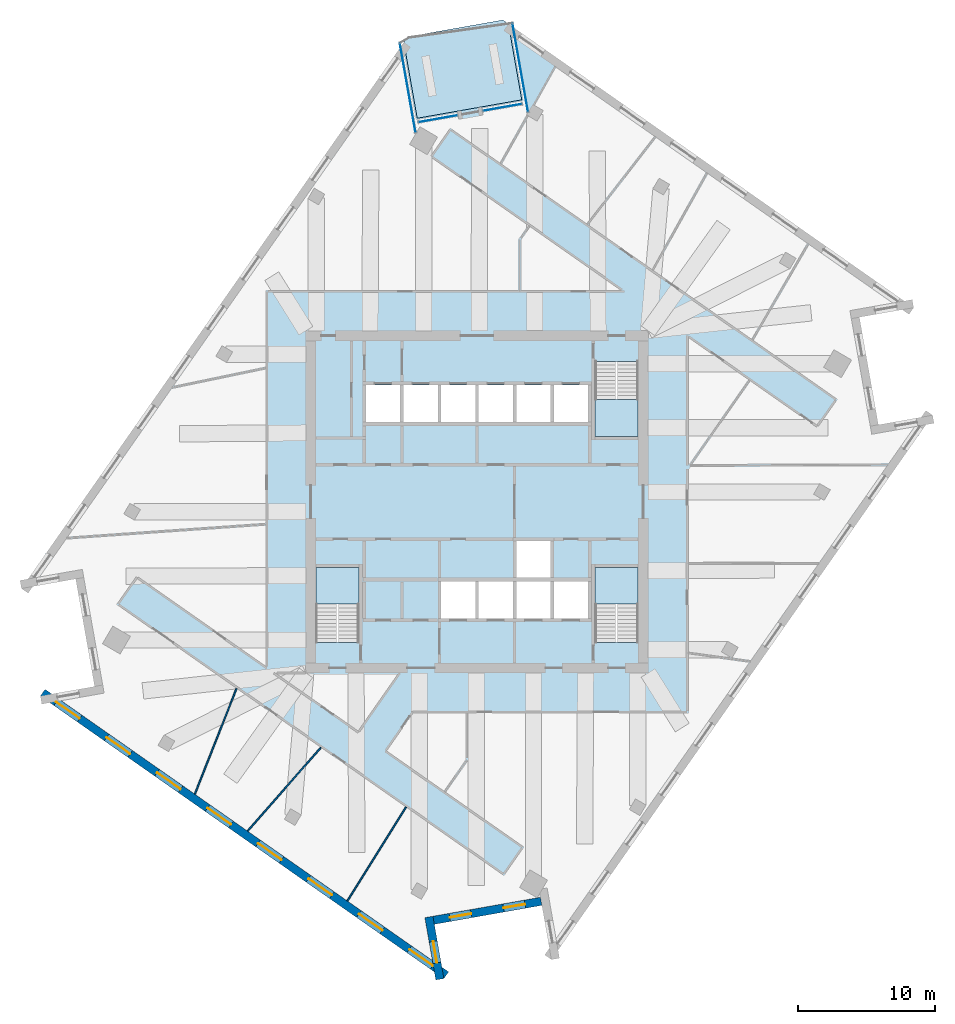
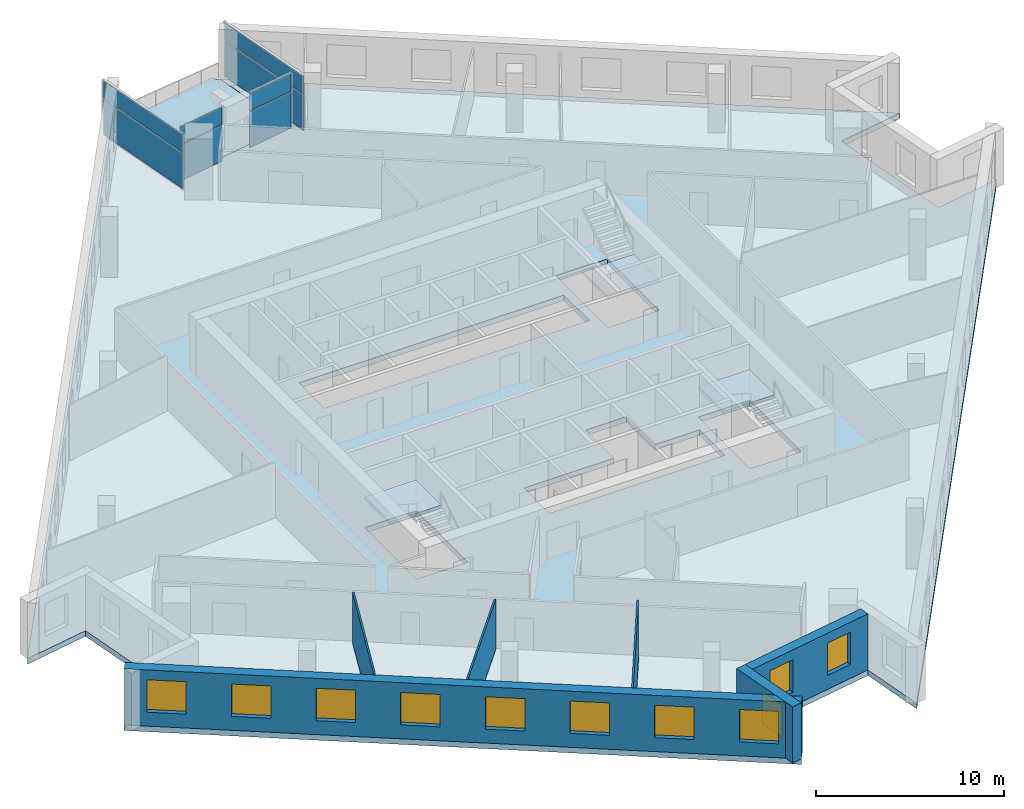
# One storey, part 5 of 13: 11 windows, 8 plates, 6 walls, 5 slabs, 11 openings, 7 elements without a shape of their own.
"""IFC4 building model written with IfcOpenShell, lengths in metres."""

from ifc_helpers import new_model, si_unit, direction, frame, frame_2d, origin, origin_2d, place, context, subcontext, project, spatial, polyline, rectangle, outline, extrude, material, layer, layer_set, type_object, element, fill, aggregate, save


model = new_model("IFC4")

# Units and contexts
model_context = context("Model", 3, precision=1e-05, world=origin(), true_north=direction((0.0, 1.0)))
body_context = subcontext(model_context, "Body", "Model", "MODEL_VIEW")
ifc_project = project(units=[si_unit("LENGTHUNIT", "METRE"), si_unit("AREAUNIT", "SQUARE_METRE"), si_unit("VOLUMEUNIT", "CUBIC_METRE"), si_unit("PLANEANGLEUNIT", "RADIAN"), si_unit("MASSUNIT", "GRAM", prefix="KILO")], contexts=[model_context])

# Site, building, storey
site_placement = place(None, origin())
site = spatial("IfcSite", under=ifc_project, at=site_placement, CompositionType="ELEMENT")
building_placement = place(site_placement, origin())
building = spatial("IfcBuilding", under=site, at=building_placement, Name="Dilmun Exchange Tower", CompositionType="ELEMENT")
storey_placement = place(building_placement, frame((0.0, 0.0, 242.89990234375)))
storey = spatial("IfcBuildingStorey", under=building, at=storey_placement, Name="L57", CompositionType="ELEMENT", Elevation=242.89990234375)

# Stair, slab
ifc_material_1 = material(Name="Concrete C40/50", Category="concrete")
stair_type = type_object("IfcStairType", Name="Exit stair 1500 half-turn", PredefinedType="HALF_TURN_STAIR", material=ifc_material_1)
stair_1_placement = place(storey_placement, origin())
stair_1 = element("IfcStair", 1, at=stair_1_placement, inside=storey, type_object=stair_type, Name="L57 Protected exit stair ST1", PredefinedType="HALF_TURN_STAIR")
ifc_layer_1 = layer(ifc_material_1, 0.199951171875)
ifc_layer_set_1 = layer_set([ifc_layer_1], Name="Concrete C40/50")
slab_type_1 = type_object("IfcSlabType", Name="Exit stair landing 200", PredefinedType="LANDING", material=ifc_layer_set_1)
slab_1_placement = place(storey_placement, frame((0.0, 0.0, 1.800048828125)))
slab_1 = element("IfcSlab", 2, at=slab_1_placement, type_object=slab_type_1, Name="ST1 landing 1", PredefinedType="LANDING", context=body_context, shape_type="SweptSolid", body=[
    extrude(outline(polyline([(8.64990234375, 7.5), (8.64990234375, 4.800048828125), (11.800048828125, 4.800048828125), (11.800048828125, 7.5), (8.64990234375, 7.5)])), origin(), (0.0, 0.0, 1.0), 0.199951171875),
])
aggregate(stair_1, [slab_1])

stair_2_placement = place(storey_placement, origin())
stair_2 = element("IfcStair", 3, at=stair_2_placement, inside=storey, type_object=stair_type, Name="L57 Protected exit stair ST2", PredefinedType="HALF_TURN_STAIR")
slab_2_placement = place(storey_placement, frame((0.0, 0.0, 1.800048828125)))
slab_2 = element("IfcSlab", 4, at=slab_2_placement, type_object=slab_type_1, Name="ST2 landing 1", PredefinedType="LANDING", context=body_context, shape_type="SweptSolid", body=[
    extrude(outline(polyline([(-8.64990234375, -7.5), (-8.64990234375, -4.800048828125), (-11.800048828125, -4.800048828125), (-11.800048828125, -7.5), (-8.64990234375, -7.5)])), origin(), (0.0, 0.0, 1.0), 0.199951171875),
])
aggregate(stair_2, [slab_2])

stair_3_placement = place(storey_placement, origin())
stair_3 = element("IfcStair", 5, at=stair_3_placement, inside=storey, type_object=stair_type, Name="L57 Protected exit stair ST3", PredefinedType="HALF_TURN_STAIR")
slab_3_placement = place(storey_placement, frame((0.0, 0.0, 1.800048828125)))
slab_3 = element("IfcSlab", 6, at=slab_3_placement, type_object=slab_type_1, Name="ST3 landing 1", PredefinedType="LANDING", context=body_context, shape_type="SweptSolid", body=[
    extrude(outline(polyline([(11.800048828125, -7.5), (11.800048828125, -4.800048828125), (8.64990234375, -4.800048828125), (8.64990234375, -7.5), (11.800048828125, -7.5)])), origin(), (0.0, 0.0, 1.0), 0.199951171875),
])
aggregate(stair_3, [slab_3])

# Curtain wall, plates
ifc_material_2 = material(Name="Anodised aluminium and clear glass", Category="aluminium")
curtain_wall_type = type_object("IfcCurtainWallType", Name="Garden corner glazing", PredefinedType="NOTDEFINED", material=ifc_material_2)
curtain_wall_1_placement = place(storey_placement, origin())
curtain_wall_1 = element("IfcCurtainWall", 7, at=curtain_wall_1_placement, inside=storey, type_object=curtain_wall_type, Name="Garden corner glazing run GC1.1", PredefinedType="NOTDEFINED")
ifc_material_3 = material(Name="Clear glass", Category="glass")
ifc_layer_2 = layer(ifc_material_3, 0.028076171875)
ifc_layer_set_2 = layer_set([ifc_layer_2], Name="Clear glass")
plate_type = type_object("IfcPlateType", Name="Garden corner glazing glass panel 28", PredefinedType="CURTAIN_PANEL", material=ifc_layer_set_2)
plate_1_placement = place(storey_placement, frame((3.170654296875, 31.797119140625, 0.06005859375), z_axis=(0.0, 0.0, 1.0), x_axis=(0.173650407466, -0.984807359836, 0.0)))
plate_1 = element("IfcPlate", 8, at=plate_1_placement, type_object=plate_type, Name="GC1.1 panel 1.1", PredefinedType="CURTAIN_PANEL", context=body_context, shape_type="SweptSolid", body=[
    extrude(rectangle(XDim=6.51806640625, YDim=0.028076171875, at=origin_2d()), origin(), (0.0, 0.0, 1.0), 2.31005859375),
])
plate_2_placement = place(storey_placement, frame((3.170654296875, 31.797119140625, 2.43017578125), z_axis=(0.0, 0.0, 1.0), x_axis=(0.173650407466, -0.984807359836, 0.0)))
plate_2 = element("IfcPlate", 9, at=plate_2_placement, type_object=plate_type, Name="GC1.1 panel 1.2", PredefinedType="CURTAIN_PANEL", context=body_context, shape_type="SweptSolid", body=[
    extrude(rectangle(XDim=6.51806640625, YDim=0.028076171875, at=origin_2d()), origin(), (0.0, 0.0, 1.0), 1.14990234375),
])
aggregate(curtain_wall_1, [plate_1, plate_2])

curtain_wall_2_placement = place(storey_placement, origin())
curtain_wall_2 = element("IfcCurtainWall", 10, at=curtain_wall_2_placement, inside=storey, type_object=curtain_wall_type, Name="Garden corner glazing run GC2.1", PredefinedType="NOTDEFINED")
plate_3_placement = place(storey_placement, frame((1.859375, 28.89794921875, 0.06005859375), z_axis=(0.0, 0.0, 1.0), x_axis=(-0.984810826993, -0.173630743351, 0.0)))
plate_3 = element("IfcPlate", 11, at=plate_3_placement, type_object=plate_type, Name="GC2.1 panel 1.1", PredefinedType="CURTAIN_PANEL", context=body_context, shape_type="SweptSolid", body=[
    extrude(rectangle(XDim=2.869140625, YDim=0.028076171875, at=origin_2d()), origin(), (0.0, 0.0, 1.0), 2.31005859375),
])
plate_4_placement = place(storey_placement, frame((1.859375, 28.89794921875, 2.43017578125), z_axis=(0.0, 0.0, 1.0), x_axis=(-0.984810826993, -0.173630743351, 0.0)))
plate_4 = element("IfcPlate", 12, at=plate_4_placement, type_object=plate_type, Name="GC2.1 panel 1.2", PredefinedType="CURTAIN_PANEL", context=body_context, shape_type="SweptSolid", body=[
    extrude(rectangle(XDim=2.869140625, YDim=0.028076171875, at=origin_2d()), origin(), (0.0, 0.0, 1.0), 1.14990234375),
])
aggregate(curtain_wall_2, [plate_3, plate_4])

curtain_wall_3_placement = place(storey_placement, origin())
curtain_wall_3 = element("IfcCurtainWall", 13, at=curtain_wall_3_placement, inside=storey, type_object=curtain_wall_type, Name="Garden corner glazing run GC2.3", PredefinedType="NOTDEFINED")
plate_5_placement = place(storey_placement, frame((-2.85693359375, 28.06640625, 0.06005859375), z_axis=(0.0, 0.0, 1.0), x_axis=(-0.984810826993, -0.173630743351, 0.0)))
plate_5 = element("IfcPlate", 14, at=plate_5_placement, type_object=plate_type, Name="GC2.3 panel 1.1", PredefinedType="CURTAIN_PANEL", context=body_context, shape_type="SweptSolid", body=[
    extrude(rectangle(XDim=2.869140625, YDim=0.028076171875, at=origin_2d()), origin(), (0.0, 0.0, 1.0), 2.31005859375),
])
plate_6_placement = place(storey_placement, frame((-2.85693359375, 28.06640625, 2.43017578125), z_axis=(0.0, 0.0, 1.0), x_axis=(-0.984810826993, -0.173630743351, 0.0)))
plate_6 = element("IfcPlate", 15, at=plate_6_placement, type_object=plate_type, Name="GC2.3 panel 1.2", PredefinedType="CURTAIN_PANEL", context=body_context, shape_type="SweptSolid", body=[
    extrude(rectangle(XDim=2.869140625, YDim=0.028076171875, at=origin_2d()), origin(), (0.0, 0.0, 1.0), 1.14990234375),
])
aggregate(curtain_wall_3, [plate_5, plate_6])

curtain_wall_4_placement = place(storey_placement, origin())
curtain_wall_4 = element("IfcCurtainWall", 16, at=curtain_wall_4_placement, inside=storey, type_object=curtain_wall_type, Name="Garden corner glazing run GC3.1", PredefinedType="NOTDEFINED")
plate_7_placement = place(storey_placement, frame((-5.07568359375, 30.315673828125, 0.06005859375), z_axis=(0.0, 0.0, 1.0), x_axis=(-0.173650646227, 0.984807317735, 0.0)))
plate_7 = element("IfcPlate", 17, at=plate_7_placement, type_object=plate_type, Name="GC3.1 panel 1.1", PredefinedType="CURTAIN_PANEL", context=body_context, shape_type="SweptSolid", body=[
    extrude(rectangle(XDim=6.572265625, YDim=0.028076171875, at=origin_2d()), origin(), (0.0, 0.0, 1.0), 2.31005859375),
])
plate_8_placement = place(storey_placement, frame((-5.07568359375, 30.315673828125, 2.43017578125), z_axis=(0.0, 0.0, 1.0), x_axis=(-0.173650646227, 0.984807317735, 0.0)))
plate_8 = element("IfcPlate", 18, at=plate_8_placement, type_object=plate_type, Name="GC3.1 panel 1.2", PredefinedType="CURTAIN_PANEL", context=body_context, shape_type="SweptSolid", body=[
    extrude(rectangle(XDim=6.572265625, YDim=0.028076171875, at=origin_2d()), origin(), (0.0, 0.0, 1.0), 1.14990234375),
])
aggregate(curtain_wall_4, [plate_7, plate_8])

# Slabs
ifc_layer_3 = layer(ifc_material_1, 0.360107421875)
ifc_layer_set_3 = layer_set([ifc_layer_3], Name="Concrete C40/50")
slab_type_2 = type_object("IfcSlabType", Name="RC floor slab 360", PredefinedType="FLOOR", material=ifc_layer_set_3)
slab_4_placement = place(storey_placement, frame((0.0, 0.0, -0.35986328125)))
element("IfcSlab", 19, at=slab_4_placement, inside=storey, type_object=slab_type_2, Name="Floor slab", PredefinedType="FLOOR", context=body_context, shape_type="SweptSolid", body=[
    extrude(outline(polyline([(28.01318359375, 13.524658203125), (29.40234375, 5.646240234375), (33.376708984375, 6.346923828125), (5.451171875, -33.534423828125), (4.75048828125, -29.560302734375), (-3.1279296875, -30.949462890625), (-2.42724609375, -34.923583984375), (-31.9873046875, -14.225341796875), (-28.01318359375, -13.524658203125), (-29.40234375, -5.646240234375), (-33.376708984375, -6.346923828125), (-5.361328125, 33.6630859375), (-4.380859375, 28.102294921875), (3.279296875, 29.452880859375), (2.298583984375, 35.013671875), (31.9873046875, 14.225341796875), (28.01318359375, 13.524658203125)]), holes=[polyline([(-8.64990234375, -4.800048828125), (-11.800048828125, -4.800048828125), (-11.800048828125, -10.294921875), (-8.64990234375, -10.294921875), (-8.64990234375, -4.800048828125)]), polyline([(11.800048828125, -4.800048828125), (8.64990234375, -4.800048828125), (8.64990234375, -10.294921875), (11.800048828125, -10.294921875), (11.800048828125, -4.800048828125)]), polyline([(2.875, -5.85009765625), (-2.625, -5.85009765625), (-2.625, -8.550048828125), (8.125, -8.550048828125), (8.125, -5.85009765625), (5.375, -5.85009765625), (5.375, -2.85009765625), (2.875, -2.85009765625), (2.875, -5.85009765625)]), polyline([(8.125, 5.85009765625), (8.125, 8.550048828125), (-8.125, 8.550048828125), (-8.125, 5.85009765625), (8.125, 5.85009765625)]), polyline([(8.64990234375, 10.294921875), (8.64990234375, 4.800048828125), (11.800048828125, 4.800048828125), (11.800048828125, 10.294921875), (8.64990234375, 10.294921875)])]), origin(), (0.0, 0.0, 1.0), 0.35986328125),
])
ifc_layer_4 = layer(ifc_material_1, 0.300048828125)
ifc_layer_set_4 = layer_set([ifc_layer_4], Name="Concrete C40/50")
slab_type_3 = type_object("IfcSlabType", Name="RC garden terrace slab 300", PredefinedType="FLOOR", material=ifc_layer_set_4)
slab_5_placement = place(storey_placement, frame((0.0, 0.0, -0.2998046875)))
element("IfcSlab", 20, at=slab_5_placement, inside=storey, type_object=slab_type_3, Name="Garden terrace slab", PredefinedType="FLOOR", context=body_context, shape_type="SweptSolid", body=[
    extrude(outline(polyline([(-4.380859375, 28.102294921875), (-5.361328125, 33.6630859375), (-5.074462890625, 34.072509765625), (1.88916015625, 35.30029296875), (2.298583984375, 35.013671875), (3.279296875, 29.452880859375), (-4.380859375, 28.102294921875)])), origin(), (0.0, 0.0, 1.0), 0.2998046875),
])

# Walls
ifc_material_4 = material(Name="Partition 100")
ifc_layer_5 = layer(ifc_material_4, 0.10009765625)
ifc_layer_set_5 = layer_set([ifc_layer_5], Name="Partition 100")
wall_type_1 = type_object("IfcWallType", Name="Partition 100", PredefinedType="PARTITIONING", material=ifc_layer_set_5)
wall_1_placement = place(storey_placement, frame((-20.6728515625, -21.4130859375, 0.0), z_axis=(0.0, 0.0, 1.0), x_axis=(0.367046287702, 0.930202678283, 0.0)))
element("IfcWall", 21, at=wall_1_placement, inside=storey, type_object=wall_type_1, Name="Partition", PredefinedType="PARTITIONING", context=body_context, shape_type="SweptSolid", body=[
    extrude(rectangle(XDim=8.321044921875, YDim=0.10009765625, at=frame_2d((4.16064453125, 0.0))), origin(), (0.0, 0.0, 1.0), 3.239990234375),
])
wall_2_placement = place(storey_placement, frame((-16.80859375, -24.118896484375, 0.0), z_axis=(0.0, 0.0, 1.0), x_axis=(0.659598527061, 0.75161810988, 0.0)))
element("IfcWall", 22, at=wall_2_placement, inside=storey, type_object=wall_type_1, Name="Partition", PredefinedType="PARTITIONING", context=body_context, shape_type="SweptSolid", body=[
    extrude(rectangle(XDim=8.147705078125, YDim=0.10009765625, at=frame_2d((4.07373046875, 0.0))), origin(), (0.0, 0.0, 1.0), 3.239990234375),
])
wall_3_placement = place(storey_placement, frame((-9.497802734375, -29.23779296875, 0.0), z_axis=(0.0, 0.0, 1.0), x_axis=(0.529739230274, 0.848160567292, 0.0)))
element("IfcWall", 23, at=wall_3_placement, inside=storey, type_object=wall_type_1, Name="Partition", PredefinedType="PARTITIONING", context=body_context, shape_type="SweptSolid", body=[
    extrude(rectangle(XDim=8.11279296875, YDim=0.10009765625, at=frame_2d((4.056396484375, 0.0))), origin(), (0.0, 0.0, 1.0), 3.64013671875),
])

# Wall, openings, windows
ifc_material_5 = material(Name="Precast concrete C50/60", Category="concrete")
ifc_layer_6 = layer(ifc_material_5, 0.60009765625)
ifc_layer_set_6 = layer_set([ifc_layer_6], Name="Precast concrete C50/60")
wall_type_2 = type_object("IfcWallType", Name="Precast stone-clad wall 600", PredefinedType="STANDARD", material=ifc_layer_set_6)
wall_4_placement = place(storey_placement, frame((-31.815185546875, -13.979736328125, 0.0), z_axis=(0.0, 0.0, 1.0), x_axis=(0.819151180661, -0.573577669737, 0.0)))
wall_4 = element("IfcWall", 24, at=wall_4_placement, inside=storey, type_object=wall_type_2, Name="Facade wall L57-07", PredefinedType="STANDARD", context=body_context, shape_type="SweptSolid", body=[
    extrude(rectangle(XDim=36.086181640625, YDim=0.60009765625, at=frame_2d((18.04296875, 0.0))), origin(), (0.0, 0.0, 1.0), 3.64013671875),
])
opening_1_placement = place(wall_4_placement, frame((1.205322265625, 0.0, 0.89990234375)))
opening_1 = element("IfcOpeningElement", 25, at=opening_1_placement, cuts=wall_4, Name="Opening W210-210", PredefinedType="OPENING", context=body_context, shape_type="SweptSolid", body=[
    extrude(rectangle(XDim=2.10009765625, YDim=2.10009765625, at=frame_2d((1.050048828125, 1.050048828125))), frame((0.0, 0.31005859375, 0.0), z_axis=(0.0, -1.0, 0.0), x_axis=(1.0, 0.0, 0.0)), (0.0, 0.0, 1.0), 0.6201171875),
])
opening_2_placement = place(wall_4_placement, frame((5.71630859375, 0.0, 0.89990234375)))
opening_2 = element("IfcOpeningElement", 26, at=opening_2_placement, cuts=wall_4, Name="Opening W210-210", PredefinedType="OPENING", context=body_context, shape_type="SweptSolid", body=[
    extrude(rectangle(XDim=2.10009765625, YDim=2.10009765625, at=frame_2d((1.050048828125, 1.050048828125))), frame((0.0, 0.31005859375, 0.0), z_axis=(0.0, -1.0, 0.0), x_axis=(1.0, 0.0, 0.0)), (0.0, 0.0, 1.0), 0.6201171875),
])
opening_3_placement = place(wall_4_placement, frame((10.22705078125, 0.0, 0.89990234375)))
opening_3 = element("IfcOpeningElement", 27, at=opening_3_placement, cuts=wall_4, Name="Opening W210-210", PredefinedType="OPENING", context=body_context, shape_type="SweptSolid", body=[
    extrude(rectangle(XDim=2.10009765625, YDim=2.10009765625, at=frame_2d((1.050048828125, 1.050048828125))), frame((0.0, 0.31005859375, 0.0), z_axis=(0.0, -1.0, 0.0), x_axis=(1.0, 0.0, 0.0)), (0.0, 0.0, 1.0), 0.6201171875),
])
opening_4_placement = place(wall_4_placement, frame((14.73779296875, 0.0, 0.89990234375)))
opening_4 = element("IfcOpeningElement", 28, at=opening_4_placement, cuts=wall_4, Name="Opening W210-210", PredefinedType="OPENING", context=body_context, shape_type="SweptSolid", body=[
    extrude(rectangle(XDim=2.10009765625, YDim=2.10009765625, at=frame_2d((1.050048828125, 1.050048828125))), frame((0.0, 0.31005859375, 0.0), z_axis=(0.0, -1.0, 0.0), x_axis=(1.0, 0.0, 0.0)), (0.0, 0.0, 1.0), 0.6201171875),
])
opening_5_placement = place(wall_4_placement, frame((19.24853515625, 0.0, 0.89990234375)))
opening_5 = element("IfcOpeningElement", 29, at=opening_5_placement, cuts=wall_4, Name="Opening W210-210", PredefinedType="OPENING", context=body_context, shape_type="SweptSolid", body=[
    extrude(rectangle(XDim=2.10009765625, YDim=2.10009765625, at=frame_2d((1.050048828125, 1.050048828125))), frame((0.0, 0.31005859375, 0.0), z_axis=(0.0, -1.0, 0.0), x_axis=(1.0, 0.0, 0.0)), (0.0, 0.0, 1.0), 0.6201171875),
])
opening_6_placement = place(wall_4_placement, frame((23.75927734375, 0.0, 0.89990234375)))
opening_6 = element("IfcOpeningElement", 30, at=opening_6_placement, cuts=wall_4, Name="Opening W210-210", PredefinedType="OPENING", context=body_context, shape_type="SweptSolid", body=[
    extrude(rectangle(XDim=2.10009765625, YDim=2.10009765625, at=frame_2d((1.050048828125, 1.050048828125))), frame((0.0, 0.31005859375, 0.0), z_axis=(0.0, -1.0, 0.0), x_axis=(1.0, 0.0, 0.0)), (0.0, 0.0, 1.0), 0.6201171875),
])
opening_7_placement = place(wall_4_placement, frame((28.27001953125, 0.0, 0.89990234375)))
opening_7 = element("IfcOpeningElement", 31, at=opening_7_placement, cuts=wall_4, Name="Opening W210-210", PredefinedType="OPENING", context=body_context, shape_type="SweptSolid", body=[
    extrude(rectangle(XDim=2.10009765625, YDim=2.10009765625, at=frame_2d((1.050048828125, 1.050048828125))), frame((0.0, 0.31005859375, 0.0), z_axis=(0.0, -1.0, 0.0), x_axis=(1.0, 0.0, 0.0)), (0.0, 0.0, 1.0), 0.6201171875),
])
opening_8_placement = place(wall_4_placement, frame((32.781005859375, 0.0, 0.89990234375)))
opening_8 = element("IfcOpeningElement", 32, at=opening_8_placement, cuts=wall_4, Name="Opening W210-210", PredefinedType="OPENING", context=body_context, shape_type="SweptSolid", body=[
    extrude(rectangle(XDim=2.10009765625, YDim=2.10009765625, at=frame_2d((1.050048828125, 1.050048828125))), frame((0.0, 0.31005859375, 0.0), z_axis=(0.0, -1.0, 0.0), x_axis=(1.0, 0.0, 0.0)), (0.0, 0.0, 1.0), 0.6201171875),
])
ifc_material_6 = material(Name="Clear low-emissivity glass in aluminium frame", Category="aluminium")
window_type_1 = type_object("IfcWindowType", Name="Punched window 2100 x 2100", PartitioningType="DOUBLE_PANEL_VERTICAL", PredefinedType="WINDOW", material=ifc_material_6)
window_1_placement = place(opening_1_placement, origin())
window_1 = element("IfcWindow", 33, at=window_1_placement, inside=storey, type_object=window_type_1, Name="Window 8.1", OverallHeight=2.10009765625, OverallWidth=2.10009765625, PartitioningType="SINGLE_PANEL", PredefinedType="WINDOW", context=body_context, shape_type="SweptSolid", body=[
    extrude(rectangle(XDim=2.10009765625, YDim=2.10009765625, at=frame_2d((1.050048828125, 1.050048828125))), frame((0.0, 0.030029296875, 0.0), z_axis=(0.0, -1.0, 0.0), x_axis=(1.0, 0.0, 0.0)), (0.0, 0.0, 1.0), 0.06005859375),
])
fill(opening_1, window_1)
window_2_placement = place(opening_2_placement, origin())
window_2 = element("IfcWindow", 34, at=window_2_placement, inside=storey, type_object=window_type_1, Name="Window 8.2", OverallHeight=2.10009765625, OverallWidth=2.10009765625, PartitioningType="SINGLE_PANEL", PredefinedType="WINDOW", context=body_context, shape_type="SweptSolid", body=[
    extrude(rectangle(XDim=2.10009765625, YDim=2.10009765625, at=frame_2d((1.050048828125, 1.050048828125))), frame((0.0, 0.030029296875, 0.0), z_axis=(0.0, -1.0, 0.0), x_axis=(1.0, 0.0, 0.0)), (0.0, 0.0, 1.0), 0.06005859375),
])
fill(opening_2, window_2)
window_3_placement = place(opening_3_placement, origin())
window_3 = element("IfcWindow", 35, at=window_3_placement, inside=storey, type_object=window_type_1, Name="Window 8.3", OverallHeight=2.10009765625, OverallWidth=2.10009765625, PartitioningType="SINGLE_PANEL", PredefinedType="WINDOW", context=body_context, shape_type="SweptSolid", body=[
    extrude(rectangle(XDim=2.10009765625, YDim=2.10009765625, at=frame_2d((1.050048828125, 1.050048828125))), frame((0.0, 0.030029296875, 0.0), z_axis=(0.0, -1.0, 0.0), x_axis=(1.0, 0.0, 0.0)), (0.0, 0.0, 1.0), 0.06005859375),
])
fill(opening_3, window_3)
window_4_placement = place(opening_4_placement, origin())
window_4 = element("IfcWindow", 36, at=window_4_placement, inside=storey, type_object=window_type_1, Name="Window 8.4", OverallHeight=2.10009765625, OverallWidth=2.10009765625, PartitioningType="SINGLE_PANEL", PredefinedType="WINDOW", context=body_context, shape_type="SweptSolid", body=[
    extrude(rectangle(XDim=2.10009765625, YDim=2.10009765625, at=frame_2d((1.050048828125, 1.050048828125))), frame((0.0, 0.030029296875, 0.0), z_axis=(0.0, -1.0, 0.0), x_axis=(1.0, 0.0, 0.0)), (0.0, 0.0, 1.0), 0.06005859375),
])
fill(opening_4, window_4)
window_5_placement = place(opening_5_placement, origin())
window_5 = element("IfcWindow", 37, at=window_5_placement, inside=storey, type_object=window_type_1, Name="Window 8.5", OverallHeight=2.10009765625, OverallWidth=2.10009765625, PartitioningType="SINGLE_PANEL", PredefinedType="WINDOW", context=body_context, shape_type="SweptSolid", body=[
    extrude(rectangle(XDim=2.10009765625, YDim=2.10009765625, at=frame_2d((1.050048828125, 1.050048828125))), frame((0.0, 0.030029296875, 0.0), z_axis=(0.0, -1.0, 0.0), x_axis=(1.0, 0.0, 0.0)), (0.0, 0.0, 1.0), 0.06005859375),
])
fill(opening_5, window_5)
window_6_placement = place(opening_6_placement, origin())
window_6 = element("IfcWindow", 38, at=window_6_placement, inside=storey, type_object=window_type_1, Name="Window 8.6", OverallHeight=2.10009765625, OverallWidth=2.10009765625, PartitioningType="SINGLE_PANEL", PredefinedType="WINDOW", context=body_context, shape_type="SweptSolid", body=[
    extrude(rectangle(XDim=2.10009765625, YDim=2.10009765625, at=frame_2d((1.050048828125, 1.050048828125))), frame((0.0, 0.030029296875, 0.0), z_axis=(0.0, -1.0, 0.0), x_axis=(1.0, 0.0, 0.0)), (0.0, 0.0, 1.0), 0.06005859375),
])
fill(opening_6, window_6)
window_7_placement = place(opening_7_placement, origin())
window_7 = element("IfcWindow", 39, at=window_7_placement, inside=storey, type_object=window_type_1, Name="Window 8.7", OverallHeight=2.10009765625, OverallWidth=2.10009765625, PartitioningType="SINGLE_PANEL", PredefinedType="WINDOW", context=body_context, shape_type="SweptSolid", body=[
    extrude(rectangle(XDim=2.10009765625, YDim=2.10009765625, at=frame_2d((1.050048828125, 1.050048828125))), frame((0.0, 0.030029296875, 0.0), z_axis=(0.0, -1.0, 0.0), x_axis=(1.0, 0.0, 0.0)), (0.0, 0.0, 1.0), 0.06005859375),
])
fill(opening_7, window_7)
window_8_placement = place(opening_8_placement, origin())
window_8 = element("IfcWindow", 40, at=window_8_placement, inside=storey, type_object=window_type_1, Name="Window 8.8", OverallHeight=2.10009765625, OverallWidth=2.10009765625, PartitioningType="SINGLE_PANEL", PredefinedType="WINDOW", context=body_context, shape_type="SweptSolid", body=[
    extrude(rectangle(XDim=2.10009765625, YDim=2.10009765625, at=frame_2d((1.050048828125, 1.050048828125))), frame((0.0, 0.030029296875, 0.0), z_axis=(0.0, -1.0, 0.0), x_axis=(1.0, 0.0, 0.0)), (0.0, 0.0, 1.0), 0.06005859375),
])
fill(opening_8, window_8)

# Wall, opening, window
wall_5_placement = place(storey_placement, frame((-2.72265625, -34.975830078125, 0.0), z_axis=(0.0, 0.0, 1.0), x_axis=(-0.173641118013, 0.984808997794, 0.0)))
wall_5 = element("IfcWall", 41, at=wall_5_placement, inside=storey, type_object=wall_type_2, Name="Facade wall L57-08", PredefinedType="STANDARD", context=body_context, shape_type="SweptSolid", body=[
    extrude(rectangle(XDim=4.635498046875, YDim=0.60009765625, at=frame_2d((2.31787109375, 0.0))), origin(), (0.0, 0.0, 1.0), 3.64013671875),
])
opening_9_placement = place(wall_5_placement, frame((1.2177734375, 0.0, 0.89990234375)))
opening_9 = element("IfcOpeningElement", 42, at=opening_9_placement, cuts=wall_5, Name="Opening W160-210", PredefinedType="OPENING", context=body_context, shape_type="SweptSolid", body=[
    extrude(rectangle(XDim=1.60009765625, YDim=2.10009765625, at=frame_2d((0.800048828125, 1.050048828125))), frame((0.0, 0.31005859375, 0.0), z_axis=(0.0, -1.0, 0.0), x_axis=(1.0, 0.0, 0.0)), (0.0, 0.0, 1.0), 0.6201171875),
])
window_type_2 = type_object("IfcWindowType", Name="Punched window 1600 x 2100", PartitioningType="DOUBLE_PANEL_VERTICAL", PredefinedType="WINDOW", material=ifc_material_6)
window_9_placement = place(opening_9_placement, origin())
window_9 = element("IfcWindow", 43, at=window_9_placement, inside=storey, type_object=window_type_2, Name="Window 9.1", OverallHeight=2.10009765625, OverallWidth=1.60009765625, PartitioningType="SINGLE_PANEL", PredefinedType="WINDOW", context=body_context, shape_type="SweptSolid", body=[
    extrude(rectangle(XDim=1.60009765625, YDim=2.10009765625, at=frame_2d((0.800048828125, 1.050048828125))), frame((0.0, 0.030029296875, 0.0), z_axis=(0.0, -1.0, 0.0), x_axis=(1.0, 0.0, 0.0)), (0.0, 0.0, 1.0), 0.06005859375),
])
fill(opening_9, window_9)

# Wall, openings, windows
wall_6_placement = place(storey_placement, frame((-3.18017578125, -30.654052734375, 0.0), z_axis=(0.0, 0.0, 1.0), x_axis=(0.98480904719, 0.173640837858, 0.0)))
wall_6 = element("IfcWall", 44, at=wall_6_placement, inside=storey, type_object=wall_type_2, Name="Facade wall L57-09", PredefinedType="STANDARD", context=body_context, shape_type="SweptSolid", body=[
    extrude(rectangle(XDim=8.000244140625, YDim=0.60009765625, at=frame_2d((4.0, 0.0))), origin(), (0.0, 0.0, 1.0), 3.64013671875),
])
opening_10_placement = place(wall_6_placement, frame((1.199951171875, 0.0, 0.89990234375)))
opening_10 = element("IfcOpeningElement", 45, at=opening_10_placement, cuts=wall_6, Name="Opening W160-210", PredefinedType="OPENING", context=body_context, shape_type="SweptSolid", body=[
    extrude(rectangle(XDim=1.60009765625, YDim=2.10009765625, at=frame_2d((0.800048828125, 1.050048828125))), frame((0.0, 0.31005859375, 0.0), z_axis=(0.0, -1.0, 0.0), x_axis=(1.0, 0.0, 0.0)), (0.0, 0.0, 1.0), 0.6201171875),
])
opening_11_placement = place(wall_6_placement, frame((5.199951171875, 0.0, 0.89990234375)))
opening_11 = element("IfcOpeningElement", 46, at=opening_11_placement, cuts=wall_6, Name="Opening W160-210", PredefinedType="OPENING", context=body_context, shape_type="SweptSolid", body=[
    extrude(rectangle(XDim=1.60009765625, YDim=2.10009765625, at=frame_2d((0.800048828125, 1.050048828125))), frame((0.0, 0.31005859375, 0.0), z_axis=(0.0, -1.0, 0.0), x_axis=(1.0, 0.0, 0.0)), (0.0, 0.0, 1.0), 0.6201171875),
])
window_10_placement = place(opening_10_placement, origin())
window_10 = element("IfcWindow", 47, at=window_10_placement, inside=storey, type_object=window_type_2, Name="Window 10.1", OverallHeight=2.10009765625, OverallWidth=1.60009765625, PartitioningType="SINGLE_PANEL", PredefinedType="WINDOW", context=body_context, shape_type="SweptSolid", body=[
    extrude(rectangle(XDim=1.60009765625, YDim=2.10009765625, at=frame_2d((0.800048828125, 1.050048828125))), frame((0.0, 0.030029296875, 0.0), z_axis=(0.0, -1.0, 0.0), x_axis=(1.0, 0.0, 0.0)), (0.0, 0.0, 1.0), 0.06005859375),
])
fill(opening_10, window_10)
window_11_placement = place(opening_11_placement, origin())
window_11 = element("IfcWindow", 48, at=window_11_placement, inside=storey, type_object=window_type_2, Name="Window 10.2", OverallHeight=2.10009765625, OverallWidth=1.60009765625, PartitioningType="SINGLE_PANEL", PredefinedType="WINDOW", context=body_context, shape_type="SweptSolid", body=[
    extrude(rectangle(XDim=1.60009765625, YDim=2.10009765625, at=frame_2d((0.800048828125, 1.050048828125))), frame((0.0, 0.030029296875, 0.0), z_axis=(0.0, -1.0, 0.0), x_axis=(1.0, 0.0, 0.0)), (0.0, 0.0, 1.0), 0.06005859375),
])
fill(opening_11, window_11)

save(model, "model.ifc")
